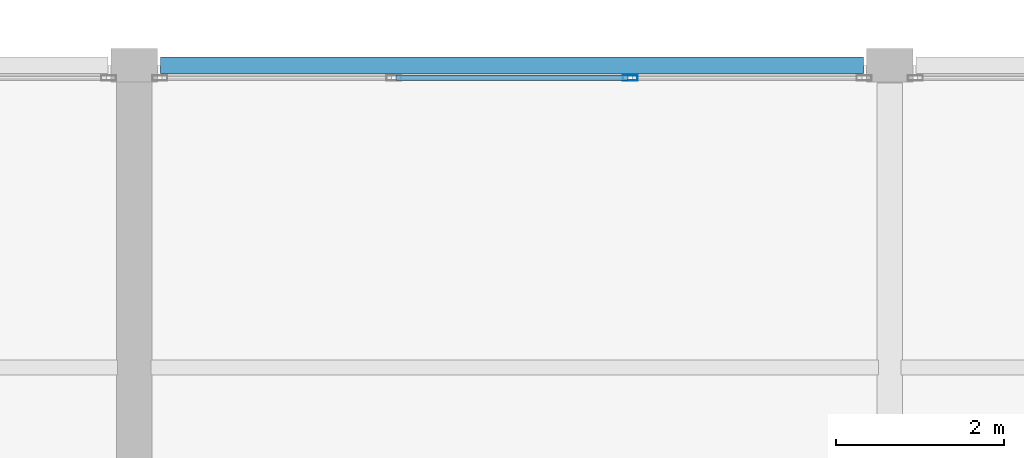
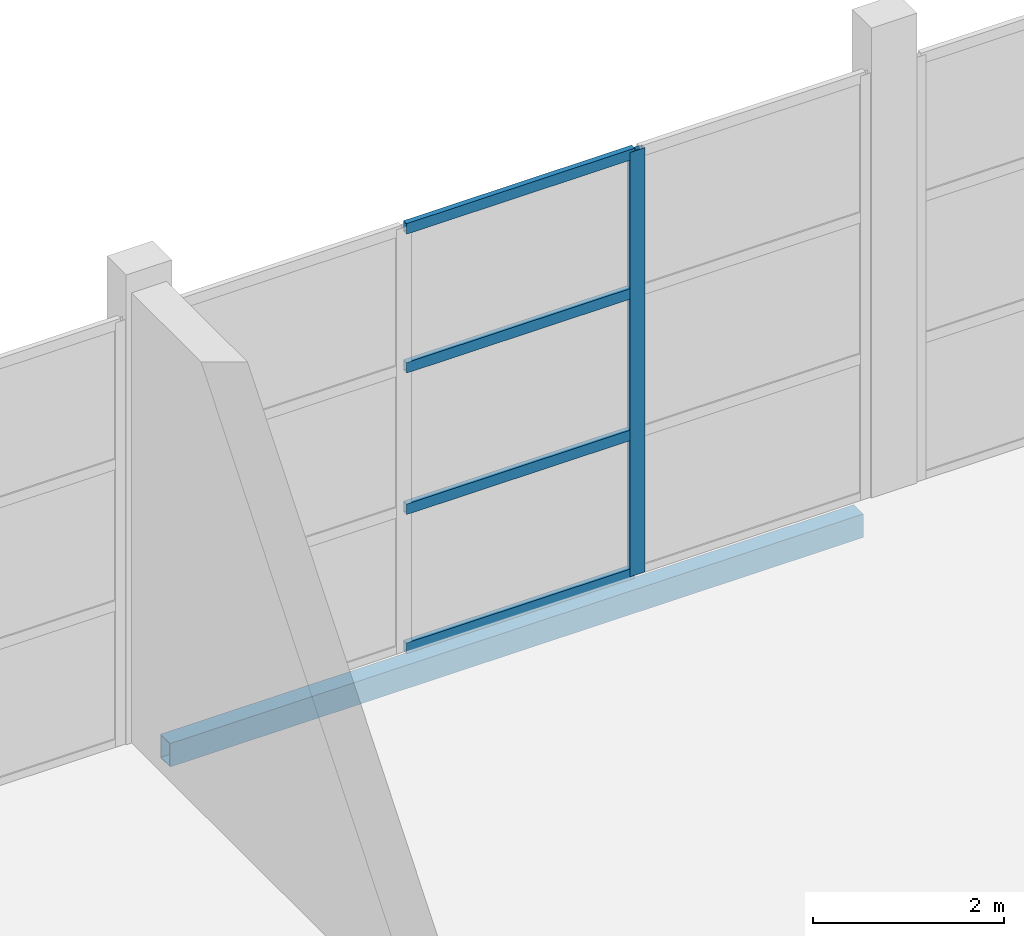
# One storey, part 90 of 191: 5 members, 1 beam, 1 element without a shape of its own.
"""IFC4 building model written with IfcOpenShell, lengths in metres."""

from ifc_helpers import new_model, si_unit, direction, frame, origin, origin_2d, place, context, subcontext, project, spatial, hollow_rectangle, extrude, material, layer, layer_set, material_profile, profile_set, type_object, element, aggregate, save


model = new_model("IFC4")

# Units and contexts
model_context = context("Model", 3, precision=1e-05, world=origin(), true_north=direction((0.0, 1.0)))
body_context = subcontext(model_context, "Body", "Model", "MODEL_VIEW")
ifc_project = project(units=[si_unit("LENGTHUNIT", "METRE"), si_unit("AREAUNIT", "SQUARE_METRE"), si_unit("VOLUMEUNIT", "CUBIC_METRE"), si_unit("PLANEANGLEUNIT", "RADIAN"), si_unit("MASSUNIT", "GRAM", prefix="KILO")], contexts=[model_context])

# Site, building, storey
site_placement = place(None, origin())
site = spatial("IfcSite", under=ifc_project, at=site_placement, CompositionType="ELEMENT")
building_placement = place(site_placement, origin())
building = spatial("IfcBuilding", under=site, at=building_placement, Name="Tamarisk Ironworks Central Station", CompositionType="ELEMENT")
storey_placement = place(building_placement, frame((0.0, 0.0, 6.60009765625)))
storey = spatial("IfcBuildingStorey", under=building, at=storey_placement, Name="L01", CompositionType="ELEMENT", Elevation=6.60009765625)

# Beam
ifc_material_1 = material(Name="Structural steel S355J2", Category="steel")
ifc_material_profile_1 = material_profile(ifc_material_1, hollow_rectangle(XDim=0.199951171875, YDim=0.300048828125, WallThickness=0.011962890625, at=origin_2d()), Name="RHS 300x200x12")
ifc_profile_set_1 = profile_set([ifc_material_profile_1], Name="Structural steel S355J2")
beam_type = type_object("IfcBeamType", Name="BM-SP02", PredefinedType="SPANDREL", material=ifc_profile_set_1)
beam_placement = place(storey_placement, frame((9.31298828125, 122.39990234375, -0.400146484375), z_axis=(1.0, 0.0, 0.0), x_axis=(0.0, 1.0, 0.0)))
element("IfcBeam", 1, at=beam_placement, inside=storey, type_object=beam_type, Name="L01 primary girder X-0144", PredefinedType="SPANDREL", context=body_context, shape_type="SweptSolid", body=[
    extrude(hollow_rectangle(XDim=0.199951171875, YDim=0.300048828125, WallThickness=0.011962890625, at=origin_2d()), origin(), (0.0, 0.0, 1.0), 8.3740234375),
])

# Curtain wall, members
ifc_material_2 = material(Name="Anodized aluminium alloy 6063-T6", Category="aluminium")
ifc_layer = layer(ifc_material_2, 0.179931640625)
ifc_layer_set = layer_set([ifc_layer], Name="Anodized aluminium alloy 6063-T6")
curtain_wall_type = type_object("IfcCurtainWallType", Name="CW-13", PredefinedType="USERDEFINED", material=ifc_layer_set)
curtain_wall_placement = place(storey_placement, origin())
curtain_wall = element("IfcCurtainWall", 2, at=curtain_wall_placement, inside=storey, type_object=curtain_wall_type, Name="Pavilion L01 N glazed arcade 09", ObjectType="GLAZED CURTAIN WALL", PredefinedType="USERDEFINED")
ifc_material_profile_2 = material_profile(ifc_material_2, hollow_rectangle(XDim=0.06494140625, YDim=0.179931640625, WallThickness=0.00390625, at=origin_2d()), Name="ALUM 180x65")
ifc_profile_set_2 = profile_set([ifc_material_profile_2], Name="Anodized aluminium alloy 6063-T6")
member_type_1 = type_object("IfcMemberType", Name="CWM-02", PredefinedType="MULLION", material=ifc_profile_set_2)
member_1_placement = place(storey_placement, frame((14.908935546875, 122.25, 0.0), z_axis=(0.0, 0.0, 1.0), x_axis=(0.0, 1.0, 0.0)))
member_1 = element("IfcMember", 3, at=member_1_placement, type_object=member_type_1, Name="CW13 mullion 3", PredefinedType="MULLION", context=body_context, shape_type="SweptSolid", body=[
    extrude(hollow_rectangle(XDim=0.06494140625, YDim=0.179931640625, WallThickness=0.00390625, at=origin_2d()), origin(), (0.0, 0.0, 1.0), 5.419921875),
])
ifc_material_profile_3 = material_profile(ifc_material_2, hollow_rectangle(XDim=0.06494140625, YDim=0.135009765625, WallThickness=0.00341796875, at=origin_2d()), Name="ALUM 135x65")
ifc_profile_set_3 = profile_set([ifc_material_profile_3], Name="Anodized aluminium alloy 6063-T6")
member_type_2 = type_object("IfcMemberType", Name="CWT-02", PredefinedType="USERDEFINED", material=ifc_profile_set_3)
member_2_placement = place(storey_placement, frame((12.119384765625, 122.25, 0.032470703125), z_axis=(1.0, 0.0, 0.0), x_axis=(0.0, 1.0, 0.0)))
member_2 = element("IfcMember", 4, at=member_2_placement, type_object=member_type_2, Name="CW13 transom 2.1", ObjectType="TRANSOM", PredefinedType="USERDEFINED", context=body_context, shape_type="SweptSolid", body=[
    extrude(hollow_rectangle(XDim=0.06494140625, YDim=0.135009765625, WallThickness=0.00341796875, at=origin_2d()), origin(), (0.0, 0.0, 1.0), 2.76123046875),
])
member_3_placement = place(storey_placement, frame((12.119384765625, 122.25, 1.806640625), z_axis=(1.0, 0.0, 0.0), x_axis=(0.0, 1.0, 0.0)))
member_3 = element("IfcMember", 5, at=member_3_placement, type_object=member_type_2, Name="CW13 transom 2.2", ObjectType="TRANSOM", PredefinedType="USERDEFINED", context=body_context, shape_type="SweptSolid", body=[
    extrude(hollow_rectangle(XDim=0.06494140625, YDim=0.135009765625, WallThickness=0.00341796875, at=origin_2d()), origin(), (0.0, 0.0, 1.0), 2.76123046875),
])
member_4_placement = place(storey_placement, frame((12.119384765625, 122.25, 3.61328125), z_axis=(1.0, 0.0, 0.0), x_axis=(0.0, 1.0, 0.0)))
member_4 = element("IfcMember", 6, at=member_4_placement, type_object=member_type_2, Name="CW13 transom 2.3", ObjectType="TRANSOM", PredefinedType="USERDEFINED", context=body_context, shape_type="SweptSolid", body=[
    extrude(hollow_rectangle(XDim=0.06494140625, YDim=0.135009765625, WallThickness=0.00341796875, at=origin_2d()), origin(), (0.0, 0.0, 1.0), 2.76123046875),
])
member_5_placement = place(storey_placement, frame((12.119384765625, 122.25, 5.387451171875), z_axis=(1.0, 0.0, 0.0), x_axis=(0.0, 1.0, 0.0)))
member_5 = element("IfcMember", 7, at=member_5_placement, type_object=member_type_2, Name="CW13 transom 2.4", ObjectType="TRANSOM", PredefinedType="USERDEFINED", context=body_context, shape_type="SweptSolid", body=[
    extrude(hollow_rectangle(XDim=0.06494140625, YDim=0.135009765625, WallThickness=0.00341796875, at=origin_2d()), origin(), (0.0, 0.0, 1.0), 2.76123046875),
])
aggregate(curtain_wall, [member_1, member_2, member_3, member_4, member_5])

save(model, "model.ifc")
